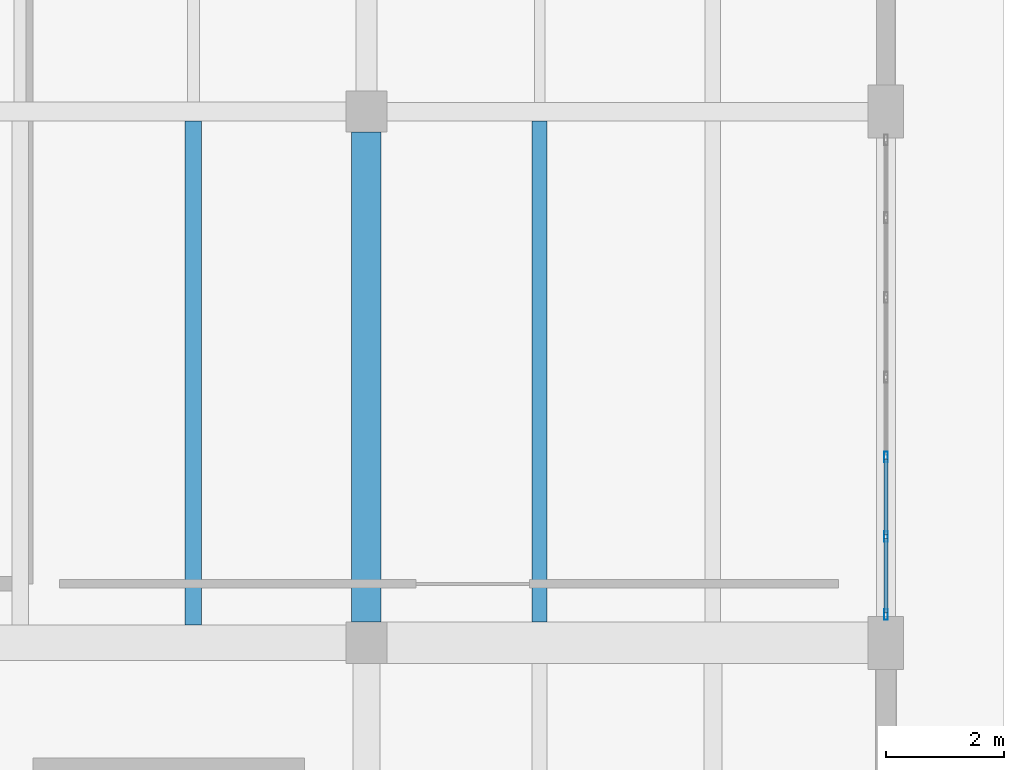
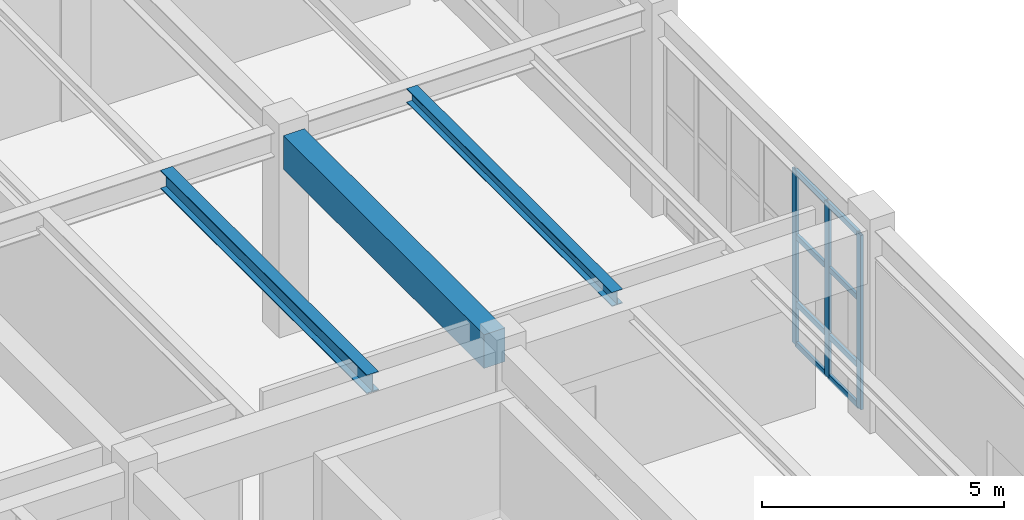
# One storey, part 56 of 91: 11 members, 3 beams, 1 element without a shape of its own.
"""IFC4 building model written with IfcOpenShell, lengths in metres."""

from ifc_helpers import new_model, si_unit, direction, frame, origin, origin_2d, place, context, subcontext, project, spatial, rectangle, hollow_rectangle, i_section, extrude, material, layer, layer_set, material_profile, profile_set, type_object, element, aggregate, save


model = new_model("IFC4")

# Units and contexts
model_context = context("Model", 3, precision=1e-05, world=origin(), true_north=direction((0.0, 1.0)))
body_context = subcontext(model_context, "Body", "Model", "MODEL_VIEW")
ifc_project = project(units=[si_unit("LENGTHUNIT", "METRE"), si_unit("AREAUNIT", "SQUARE_METRE"), si_unit("VOLUMEUNIT", "CUBIC_METRE"), si_unit("PLANEANGLEUNIT", "RADIAN"), si_unit("MASSUNIT", "GRAM", prefix="KILO")], contexts=[model_context])

# Site, building, storey
site_placement = place(None, origin())
site = spatial("IfcSite", under=ifc_project, at=site_placement, CompositionType="ELEMENT")
building_placement = place(site_placement, origin())
building = spatial("IfcBuilding", under=site, at=building_placement, Name="Vaelkrest Opera House", CompositionType="ELEMENT")
storey_placement = place(building_placement, origin())
storey = spatial("IfcBuildingStorey", under=building, at=storey_placement, Name="L00", CompositionType="ELEMENT", Elevation=0.0)

# Beam
ifc_material_1 = material(Name="Concrete C50/60", Category="concrete")
ifc_material_profile_1 = material_profile(ifc_material_1, rectangle(XDim=0.5, YDim=0.85009765625, at=origin_2d()), Name="RCB500X850")
ifc_profile_set_1 = profile_set([ifc_material_profile_1], Name="Concrete C50/60")
beam_type_1 = type_object("IfcBeamType", Name="B03", PredefinedType="BEAM", material=ifc_profile_set_1)
beam_1_placement = place(storey_placement, frame((77.60009765625, -7.449951171875, 4.655029296875), z_axis=(0.0, 1.0, 0.0), x_axis=(-1.0, 0.0, 0.0)))
element("IfcBeam", 1, at=beam_1_placement, inside=storey, type_object=beam_type_1, Name="Beam BM-V4-L00-2032", PredefinedType="BEAM", context=body_context, shape_type="SweptSolid", body=[
    extrude(rectangle(XDim=0.5, YDim=0.85009765625, at=origin_2d()), origin(), (0.0, 0.0, 1.0), 8.300048828125),
])

# Curtain wall, members
ifc_material_2 = material(Name="Dark bronze anodized aluminium", Category="aluminium")
ifc_layer = layer(ifc_material_2, 0.179931640625)
ifc_layer_set = layer_set([ifc_layer], Name="Dark bronze anodized aluminium")
curtain_wall_type = type_object("IfcCurtainWallType", Name="CW01", PredefinedType="NOTDEFINED", material=ifc_layer_set)
curtain_wall_placement = place(storey_placement, origin())
curtain_wall = element("IfcCurtainWall", 2, at=curtain_wall_placement, inside=storey, type_object=curtain_wall_type, Name="Curtain wall CW-L00-152", PredefinedType="NOTDEFINED")
ifc_material_profile_2 = material_profile(ifc_material_2, hollow_rectangle(XDim=0.06494140625, YDim=0.179931640625, WallThickness=0.00390625, at=origin_2d()), Name="CWM65X180")
ifc_profile_set_2 = profile_set([ifc_material_profile_2], Name="Dark bronze anodized aluminium")
member_type_1 = type_object("IfcMemberType", Name="CWM01", PredefinedType="MULLION", material=ifc_profile_set_2)
member_1_placement = place(storey_placement, frame((86.39990234375, -4.650634765625, 0.0), z_axis=(0.0, 0.0, 1.0), x_axis=(1.0, 0.0, 0.0)))
member_1 = element("IfcMember", 3, at=member_1_placement, type_object=member_type_1, Name="CW01 mullion 5", PredefinedType="MULLION", context=body_context, shape_type="SweptSolid", body=[
    extrude(hollow_rectangle(XDim=0.06494140625, YDim=0.179931640625, WallThickness=0.00390625, at=origin_2d()), origin(), (0.0, 0.0, 1.0), 4.404052734375),
])
member_2_placement = place(storey_placement, frame((86.39990234375, -6.001220703125, 0.0), z_axis=(0.0, 0.0, 1.0), x_axis=(1.0, 0.0, 0.0)))
member_2 = element("IfcMember", 4, at=member_2_placement, type_object=member_type_1, Name="CW01 mullion 6", PredefinedType="MULLION", context=body_context, shape_type="SweptSolid", body=[
    extrude(hollow_rectangle(XDim=0.06494140625, YDim=0.179931640625, WallThickness=0.00390625, at=origin_2d()), origin(), (0.0, 0.0, 1.0), 4.404052734375),
])
member_3_placement = place(storey_placement, frame((86.39990234375, -7.319580078125, 0.0), z_axis=(0.0, 0.0, 1.0), x_axis=(1.0, 0.0, 0.0)))
member_3 = element("IfcMember", 5, at=member_3_placement, type_object=member_type_1, Name="CW01 mullion 7", PredefinedType="MULLION", context=body_context, shape_type="SweptSolid", body=[
    extrude(hollow_rectangle(XDim=0.06494140625, YDim=0.179931640625, WallThickness=0.00390625, at=origin_2d()), origin(), (0.0, 0.0, 1.0), 4.404052734375),
])
ifc_material_profile_3 = material_profile(ifc_material_2, hollow_rectangle(XDim=0.06494140625, YDim=0.139892578125, WallThickness=0.00390625, at=origin_2d()), Name="CWT65X140")
ifc_profile_set_3 = profile_set([ifc_material_profile_3], Name="Dark bronze anodized aluminium")
member_type_2 = type_object("IfcMemberType", Name="CWT01", PredefinedType="USERDEFINED", material=ifc_profile_set_3)
member_4_placement = place(storey_placement, frame((86.39990234375, -4.68310546875, 0.032470703125), z_axis=(0.0, -1.0, 0.0), x_axis=(1.0, 0.0, 0.0)))
member_4 = element("IfcMember", 6, at=member_4_placement, type_object=member_type_2, Name="CW01 transom 5.1", ObjectType="TRANSOM", PredefinedType="USERDEFINED", context=body_context, shape_type="SweptSolid", body=[
    extrude(hollow_rectangle(XDim=0.06494140625, YDim=0.139892578125, WallThickness=0.00390625, at=origin_2d()), origin(), (0.0, 0.0, 1.0), 1.28564453125),
])
member_5_placement = place(storey_placement, frame((86.39990234375, -4.68310546875, 1.050048828125), z_axis=(0.0, -1.0, 0.0), x_axis=(1.0, 0.0, 0.0)))
member_5 = element("IfcMember", 7, at=member_5_placement, type_object=member_type_2, Name="CW01 transom 5.2", ObjectType="TRANSOM", PredefinedType="USERDEFINED", context=body_context, shape_type="SweptSolid", body=[
    extrude(hollow_rectangle(XDim=0.06494140625, YDim=0.139892578125, WallThickness=0.00390625, at=origin_2d()), origin(), (0.0, 0.0, 1.0), 1.28564453125),
])
member_6_placement = place(storey_placement, frame((86.39990234375, -4.68310546875, 2.75), z_axis=(0.0, -1.0, 0.0), x_axis=(1.0, 0.0, 0.0)))
member_6 = element("IfcMember", 8, at=member_6_placement, type_object=member_type_2, Name="CW01 transom 5.3", ObjectType="TRANSOM", PredefinedType="USERDEFINED", context=body_context, shape_type="SweptSolid", body=[
    extrude(hollow_rectangle(XDim=0.06494140625, YDim=0.139892578125, WallThickness=0.00390625, at=origin_2d()), origin(), (0.0, 0.0, 1.0), 1.28564453125),
])
member_7_placement = place(storey_placement, frame((86.39990234375, -4.68310546875, 4.37158203125), z_axis=(0.0, -1.0, 0.0), x_axis=(1.0, 0.0, 0.0)))
member_7 = element("IfcMember", 9, at=member_7_placement, type_object=member_type_2, Name="CW01 transom 5.4", ObjectType="TRANSOM", PredefinedType="USERDEFINED", context=body_context, shape_type="SweptSolid", body=[
    extrude(hollow_rectangle(XDim=0.06494140625, YDim=0.139892578125, WallThickness=0.00390625, at=origin_2d()), origin(), (0.0, 0.0, 1.0), 1.28564453125),
])
member_8_placement = place(storey_placement, frame((86.39990234375, -6.033935546875, 0.032470703125), z_axis=(0.0, -1.0, 0.0), x_axis=(1.0, 0.0, 0.0)))
member_8 = element("IfcMember", 10, at=member_8_placement, type_object=member_type_2, Name="CW01 transom 6.1", ObjectType="TRANSOM", PredefinedType="USERDEFINED", context=body_context, shape_type="SweptSolid", body=[
    extrude(hollow_rectangle(XDim=0.06494140625, YDim=0.139892578125, WallThickness=0.00390625, at=origin_2d()), origin(), (0.0, 0.0, 1.0), 1.253173828125),
])
member_9_placement = place(storey_placement, frame((86.39990234375, -6.033935546875, 1.050048828125), z_axis=(0.0, -1.0, 0.0), x_axis=(1.0, 0.0, 0.0)))
member_9 = element("IfcMember", 11, at=member_9_placement, type_object=member_type_2, Name="CW01 transom 6.2", ObjectType="TRANSOM", PredefinedType="USERDEFINED", context=body_context, shape_type="SweptSolid", body=[
    extrude(hollow_rectangle(XDim=0.06494140625, YDim=0.139892578125, WallThickness=0.00390625, at=origin_2d()), origin(), (0.0, 0.0, 1.0), 1.253173828125),
])
member_10_placement = place(storey_placement, frame((86.39990234375, -6.033935546875, 2.75), z_axis=(0.0, -1.0, 0.0), x_axis=(1.0, 0.0, 0.0)))
member_10 = element("IfcMember", 12, at=member_10_placement, type_object=member_type_2, Name="CW01 transom 6.3", ObjectType="TRANSOM", PredefinedType="USERDEFINED", context=body_context, shape_type="SweptSolid", body=[
    extrude(hollow_rectangle(XDim=0.06494140625, YDim=0.139892578125, WallThickness=0.00390625, at=origin_2d()), origin(), (0.0, 0.0, 1.0), 1.253173828125),
])
member_11_placement = place(storey_placement, frame((86.39990234375, -6.033935546875, 4.37158203125), z_axis=(0.0, -1.0, 0.0), x_axis=(1.0, 0.0, 0.0)))
member_11 = element("IfcMember", 13, at=member_11_placement, type_object=member_type_2, Name="CW01 transom 6.4", ObjectType="TRANSOM", PredefinedType="USERDEFINED", context=body_context, shape_type="SweptSolid", body=[
    extrude(hollow_rectangle(XDim=0.06494140625, YDim=0.139892578125, WallThickness=0.00390625, at=origin_2d()), origin(), (0.0, 0.0, 1.0), 1.253173828125),
])
aggregate(curtain_wall, [member_1, member_2, member_3, member_4, member_5, member_6, member_7, member_8, member_9, member_10, member_11])

# Beams
ifc_material_3 = material(Name="Steel A992 Gr50", Category="steel")
ifc_material_profile_4 = material_profile(ifc_material_3, i_section(OverallWidth=0.2548828125, OverallDepth=0.35693359375, WebThickness=0.010498046875, FlangeThickness=0.018310546875, at=origin_2d()), Name="W14X68")
ifc_profile_set_4 = profile_set([ifc_material_profile_4], Name="Steel A992 Gr50")
beam_type_2 = type_object("IfcBeamType", Name="J05", PredefinedType="JOIST", material=ifc_profile_set_4)
beam_2_placement = place(storey_placement, frame((80.532958984375, -7.449951171875, 4.901611328125), z_axis=(0.0, 1.0, 0.0), x_axis=(-1.0, 0.0, 0.0)))
element("IfcBeam", 14, at=beam_2_placement, inside=storey, type_object=beam_type_2, Name="Floor joist JST-V4-L00-2105", PredefinedType="JOIST", context=body_context, shape_type="SweptSolid", body=[
    extrude(i_section(OverallWidth=0.2548828125, OverallDepth=0.35693359375, WebThickness=0.010498046875, FlangeThickness=0.018310546875, at=origin_2d()), origin(), (0.0, 0.0, 1.0), 8.492431640625),
])
ifc_material_profile_5 = material_profile(ifc_material_3, i_section(OverallWidth=0.282958984375, OverallDepth=0.471923828125, WebThickness=0.013671875, FlangeThickness=0.022216796875, at=origin_2d()), Name="W18X97")
ifc_profile_set_5 = profile_set([ifc_material_profile_5], Name="Steel A992 Gr50")
beam_type_3 = type_object("IfcBeamType", Name="J10", PredefinedType="JOIST", material=ifc_profile_set_5)
beam_3_placement = place(storey_placement, frame((74.6669921875, -7.5, 4.843994140625), z_axis=(0.0, 1.0, 0.0), x_axis=(-1.0, 0.0, 0.0)))
element("IfcBeam", 15, at=beam_3_placement, inside=storey, type_object=beam_type_3, Name="Floor joist JST-V4-L00-2090", PredefinedType="JOIST", context=body_context, shape_type="SweptSolid", body=[
    extrude(i_section(OverallWidth=0.282958984375, OverallDepth=0.471923828125, WebThickness=0.013671875, FlangeThickness=0.022216796875, at=origin_2d()), origin(), (0.0, 0.0, 1.0), 8.53662109375),
])

save(model, "model.ifc")
